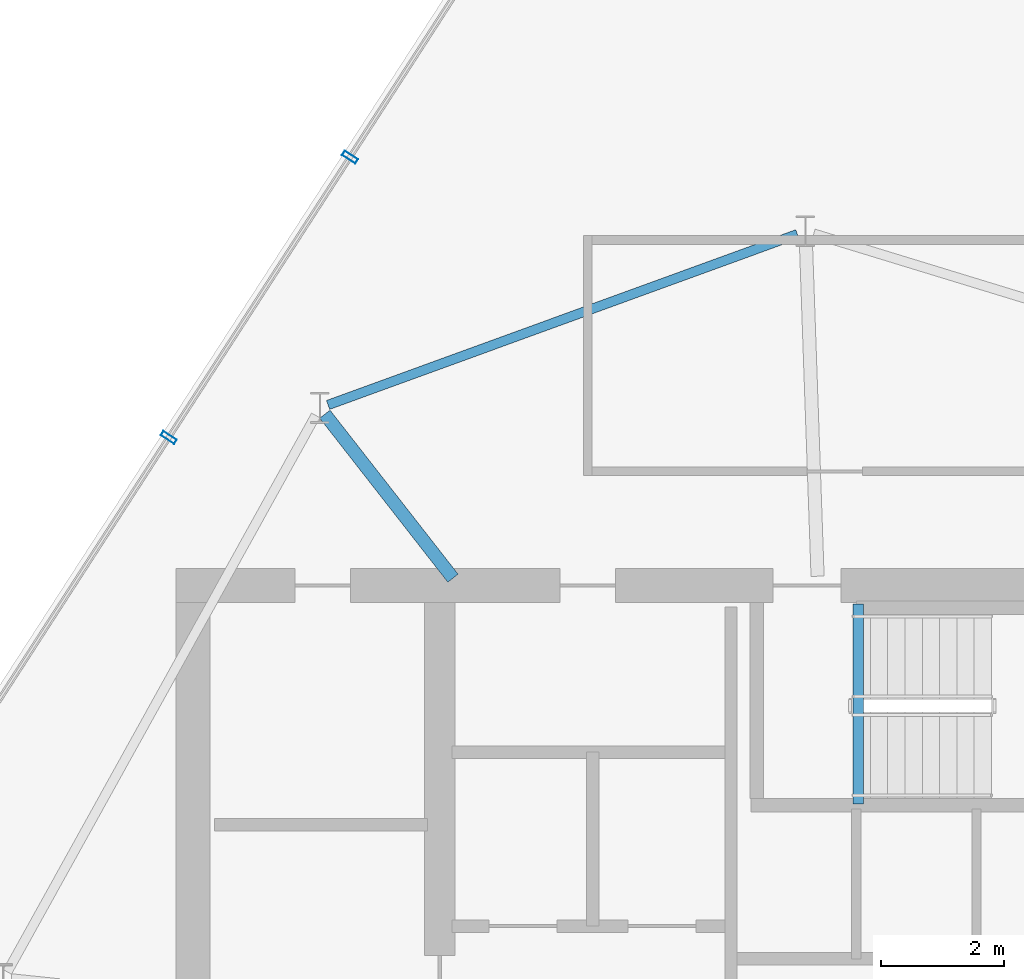
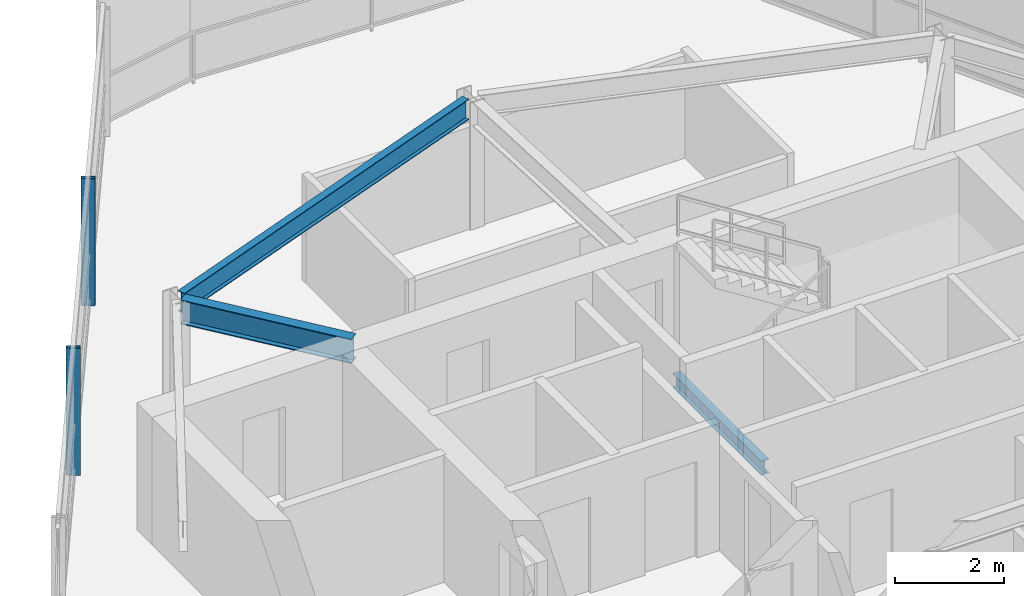
# One storey, part 8 of 16: 3 beams, 2 members, 1 element without a shape of its own.
"""IFC4 building model written with IfcOpenShell, lengths in metres."""

from ifc_helpers import new_model, si_unit, direction, frame, origin, origin_2d, place, context, subcontext, project, spatial, hollow_rectangle, i_section, extrude, material, layer, layer_set, material_profile, profile_set, type_object, element, aggregate, save


model = new_model("IFC4")

# Units and contexts
model_context = context("Model", 3, precision=1e-05, world=origin(), true_north=direction((0.0, 1.0)))
body_context = subcontext(model_context, "Body", "Model", "MODEL_VIEW")
ifc_project = project(units=[si_unit("LENGTHUNIT", "METRE"), si_unit("AREAUNIT", "SQUARE_METRE"), si_unit("VOLUMEUNIT", "CUBIC_METRE"), si_unit("PLANEANGLEUNIT", "RADIAN"), si_unit("MASSUNIT", "GRAM", prefix="KILO")], contexts=[model_context])

# Site, building, storey
site_placement = place(None, origin())
site = spatial("IfcSite", under=ifc_project, at=site_placement, CompositionType="ELEMENT")
building_placement = place(site_placement, origin())
building = spatial("IfcBuilding", under=site, at=building_placement, Name="Qarnah Convention Tower", CompositionType="ELEMENT")
storey_placement = place(building_placement, frame((0.0, 0.0, 283.5)))
storey = spatial("IfcBuildingStorey", under=building, at=storey_placement, Name="L76", CompositionType="ELEMENT", Elevation=283.5)

# Beams
ifc_material_1 = material(Name="Structural steel S355JR", Category="steel")
ifc_material_profile_1 = material_profile(ifc_material_1, i_section(OverallWidth=0.166015625, OverallDepth=0.31201171875, WebThickness=0.007080078125, FlangeThickness=0.010986328125, at=origin_2d()), Name="W310X45")
ifc_profile_set_1 = profile_set([ifc_material_profile_1], Name="Structural steel S355JR")
beam_type_1 = type_object("IfcBeamType", Name="BM-JST-W310", PredefinedType="JOIST", material=ifc_profile_set_1)
beam_1_placement = place(storey_placement, frame((37.5830078125, 30.659912109375, -0.156005859375), z_axis=(0.0, 1.0, 0.0), x_axis=(-1.0, 0.0, 0.0)))
element("IfcBeam", 1, at=beam_1_placement, inside=storey, type_object=beam_type_1, Name="L76 stair landing trimmer beam BM-L76-ST3-TRM", PredefinedType="BEAM", context=body_context, shape_type="SweptSolid", body=[
    extrude(i_section(OverallWidth=0.166015625, OverallDepth=0.31201171875, WebThickness=0.007080078125, FlangeThickness=0.010986328125, at=origin_2d()), origin(), (0.0, 0.0, 1.0), 3.239990234375),
])
ifc_material_profile_2 = material_profile(ifc_material_1, i_section(OverallWidth=0.2119140625, OverallDepth=0.5400390625, WebThickness=0.011962890625, FlangeThickness=0.01904296875, at=origin_2d()), Name="W530X109")
ifc_profile_set_2 = profile_set([ifc_material_profile_2], Name="Structural steel S355JR")
beam_type_2 = type_object("IfcBeamType", Name="BM-RAD-W530A", PredefinedType="BEAM", material=ifc_profile_set_2)
beam_2_placement = place(storey_placement, frame((31.013916015625, 34.318115234375, 2.570068359375), z_axis=(-0.615533058193, 0.788111067218, 0.0), x_axis=(-0.788111067218, -0.615533058193, 0.0)))
element("IfcBeam", 2, at=beam_2_placement, inside=storey, type_object=beam_type_2, Name="L76 beam BM-L76-RAD-04", PredefinedType="BEAM", context=body_context, shape_type="SweptSolid", body=[
    extrude(i_section(OverallWidth=0.2119140625, OverallDepth=0.5400390625, WebThickness=0.011962890625, FlangeThickness=0.01904296875, at=origin_2d()), origin(), (0.0, 0.0, 1.0), 3.37255859375),
])
ifc_material_profile_3 = material_profile(ifc_material_1, i_section(OverallWidth=0.154052734375, OverallDepth=0.4599609375, WebThickness=0.009033203125, FlangeThickness=0.014892578125, at=origin_2d()), Name="W460X68")
ifc_profile_set_3 = profile_set([ifc_material_profile_3], Name="Structural steel S355JR")
beam_type_3 = type_object("IfcBeamType", Name="BM-SPN-W460B", PredefinedType="SPANDREL", material=ifc_profile_set_3)
beam_3_placement = place(storey_placement, frame((36.594970703125, 39.89404296875, 2.610107421875), z_axis=(-0.939689448399, -0.34202885926, 0.0), x_axis=(0.34202885926, -0.939689448399, 0.0)))
element("IfcBeam", 3, at=beam_3_placement, inside=storey, type_object=beam_type_3, Name="L76 spandrel BM-L76-SPN-03", PredefinedType="SPANDREL", context=body_context, shape_type="SweptSolid", body=[
    extrude(i_section(OverallWidth=0.154052734375, OverallDepth=0.4599609375, WebThickness=0.009033203125, FlangeThickness=0.014892578125, at=origin_2d()), origin(), (0.0, 0.0, 1.0), 8.093017578125),
])

# Curtain wall, members
ifc_material_2 = material(Name="Tempered Low-E dark glass", Category="glass")
ifc_layer = layer(ifc_material_2, 0.177978515625)
ifc_layer_set = layer_set([ifc_layer], Name="Tempered Low-E dark glass")
curtain_wall_type = type_object("IfcCurtainWallType", Name="CWS-06", PredefinedType="NOTDEFINED", material=ifc_layer_set)
curtain_wall_placement = place(storey_placement, origin())
curtain_wall = element("IfcCurtainWall", 4, at=curtain_wall_placement, inside=storey, type_object=curtain_wall_type, Name="L76 unitised curtain wall CW-L76-F3", PredefinedType="NOTDEFINED")
ifc_material_3 = material(Name="Black anodised aluminium", Category="aluminium")
ifc_material_profile_4 = material_profile(ifc_material_3, hollow_rectangle(XDim=0.0849609375, YDim=0.260009765625, WallThickness=0.006103515625, at=origin_2d()), Name="MUL-85X260")
ifc_profile_set_4 = profile_set([ifc_material_profile_4], Name="Black anodised aluminium")
member_type = type_object("IfcMemberType", Name="MUL-T6", PredefinedType="MULLION", material=ifc_profile_set_4)
member_1_placement = place(storey_placement, frame((26.407470703125, 36.59765625, 0.0), z_axis=(0.0, 0.0, 1.0), x_axis=(0.542871059337, 0.839816058988, 0.0)))
member_1 = element("IfcMember", 5, at=member_1_placement, type_object=member_type, Name="CW-L76-F3 mullion 4", PredefinedType="MULLION", context=body_context, shape_type="SweptSolid", body=[
    extrude(hollow_rectangle(XDim=0.0849609375, YDim=0.260009765625, WallThickness=0.006103515625, at=origin_2d()), origin(), (0.0, 0.0, 1.0), 2.840087890625),
])
member_2_placement = place(storey_placement, frame((29.34423828125, 41.140869140625, 0.0), z_axis=(0.0, 0.0, 1.0), x_axis=(0.542871059337, 0.839816058988, 0.0)))
member_2 = element("IfcMember", 6, at=member_2_placement, type_object=member_type, Name="CW-L76-F3 mullion 5", PredefinedType="MULLION", context=body_context, shape_type="SweptSolid", body=[
    extrude(hollow_rectangle(XDim=0.0849609375, YDim=0.260009765625, WallThickness=0.006103515625, at=origin_2d()), origin(), (0.0, 0.0, 1.0), 2.840087890625),
])
aggregate(curtain_wall, [member_1, member_2])

save(model, "model.ifc")
